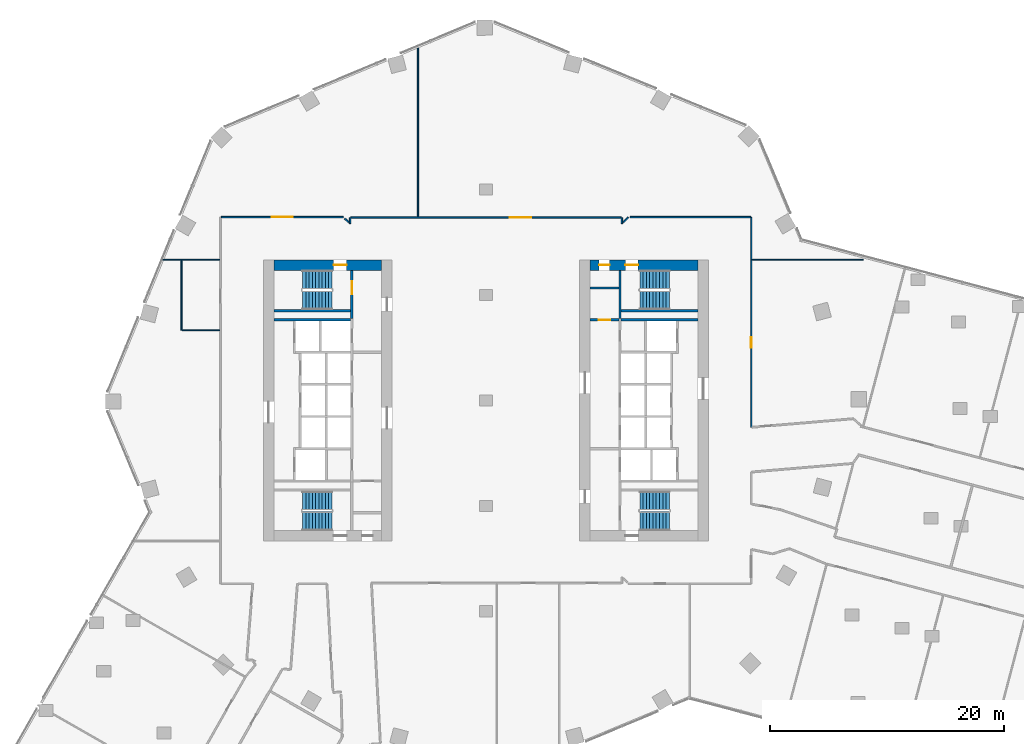
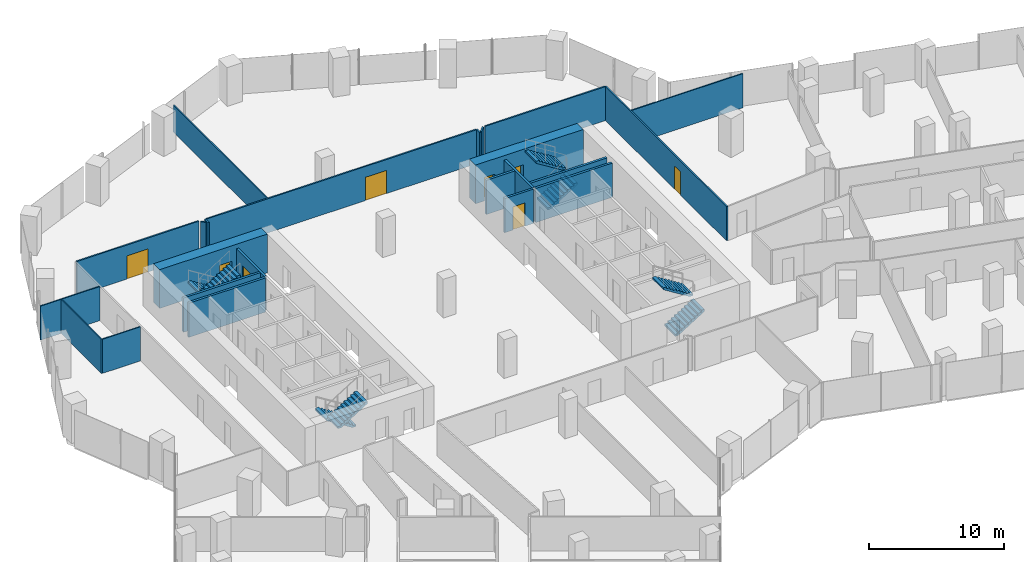
# One storey, part 31 of 35: 23 walls, 8 doors, 8 stair flights, 8 openings, 4 elements without a shape of their own.
"""IFC4 building model written with IfcOpenShell, lengths in metres."""

from ifc_helpers import new_model, si_unit, direction, frame, frame_2d, origin, place, context, subcontext, project, spatial, polyline, rectangle, outline, extrude, material, layer, layer_set, type_object, element, fill, aggregate, save


model = new_model("IFC4")

# Units and contexts
model_context = context("Model", 3, precision=1e-05, world=origin(), true_north=direction((0.0, 1.0)))
body_context = subcontext(model_context, "Body", "Model", "MODEL_VIEW")
ifc_project = project(units=[si_unit("LENGTHUNIT", "METRE"), si_unit("AREAUNIT", "SQUARE_METRE"), si_unit("VOLUMEUNIT", "CUBIC_METRE"), si_unit("PLANEANGLEUNIT", "RADIAN"), si_unit("MASSUNIT", "GRAM", prefix="KILO")], contexts=[model_context])

# Site, building, storey
site_placement = place(None, origin())
site = spatial("IfcSite", under=ifc_project, at=site_placement, CompositionType="ELEMENT")
building_placement = place(site_placement, origin())
building = spatial("IfcBuilding", under=site, at=building_placement, Name="Orlundy Tower", CompositionType="ELEMENT")
storey_placement = place(building_placement, frame((0.0, 0.0, 116.199951171875)))
storey = spatial("IfcBuildingStorey", under=building, at=storey_placement, Name="L29", CompositionType="ELEMENT", Elevation=116.199951171875)

# Wall, opening, door
ifc_material_1 = material(Name="Concrete C80/95", Category="concrete")
ifc_layer_1 = layer(ifc_material_1, 0.89990234375)
ifc_layer_set_1 = layer_set([ifc_layer_1], Name="CORE WALL 900 C80/95")
wall_type_1 = type_object("IfcWallType", Name="CORE WALL 900 C80/95", PredefinedType="SHEAR", material=ifc_layer_set_1)
wall_1_placement = place(storey_placement, frame((-18.10009765625, 11.550048828125, 0.0), z_axis=(0.0, 0.0, 1.0), x_axis=(1.0, 0.0, 0.0)))
wall_1 = element("IfcWall", 1, at=wall_1_placement, inside=storey, type_object=wall_type_1, Name="Core wall W-N L29", PredefinedType="SHEAR", context=body_context, shape_type="SweptSolid", body=[
    extrude(rectangle(XDim=9.2001953125, YDim=0.89990234375, at=frame_2d((4.60009765625, 0.0))), origin(), (0.0, 0.0, 1.0), 3.5),
])
opening_1_placement = place(wall_1_placement, frame((5.10009765625, 0.0, 0.0)))
opening_1 = element("IfcOpeningElement", 2, at=opening_1_placement, cuts=wall_1, Name="Opening 22012", PredefinedType="OPENING", context=body_context, shape_type="SweptSolid", body=[
    extrude(rectangle(XDim=1.10009765625, YDim=2.10009765625, at=frame_2d((0.550048828125, 1.050048828125))), frame((0.0, 0.4599609375, 0.0), z_axis=(0.0, -1.0, 0.0), x_axis=(1.0, 0.0, 0.0)), (0.0, 0.0, 1.0), 0.919921875),
])
ifc_material_2 = material(Name="Steel door set", Category="steel")
door_type_1 = type_object("IfcDoorType", Name="Stair Door 1100x2100", OperationType="SINGLE_SWING_LEFT", PredefinedType="DOOR", material=ifc_material_2)
door_1_placement = place(opening_1_placement, origin())
door_1 = element("IfcDoor", 3, at=door_1_placement, inside=storey, type_object=door_type_1, Name="Stair door 22012", OperationType="SINGLE_SWING_RIGHT", OverallHeight=2.10009765625, OverallWidth=1.10009765625, PredefinedType="DOOR", context=body_context, shape_type="SweptSolid", body=[
    extrude(rectangle(XDim=1.10009765625, YDim=2.10009765625, at=frame_2d((0.550048828125, 1.050048828125))), frame((0.0, 0.02490234375, 0.0), z_axis=(0.0, -1.0, 0.0), x_axis=(1.0, 0.0, 0.0)), (0.0, 0.0, 1.0), 0.050048828125),
])
fill(opening_1, door_1)

# Wall, openings, doors
wall_2_placement = place(storey_placement, frame((8.89990234375, 11.550048828125, 0.0), z_axis=(0.0, 0.0, 1.0), x_axis=(1.0, 0.0, 0.0)))
wall_2 = element("IfcWall", 4, at=wall_2_placement, inside=storey, type_object=wall_type_1, Name="Core wall E-N L29", PredefinedType="SHEAR", context=body_context, shape_type="SweptSolid", body=[
    extrude(rectangle(XDim=9.2001953125, YDim=0.89990234375, at=frame_2d((4.60009765625, 0.0))), origin(), (0.0, 0.0, 1.0), 3.5),
])
opening_2_placement = place(wall_2_placement, frame((3.0, 0.0, 0.0)))
opening_2 = element("IfcOpeningElement", 5, at=opening_2_placement, cuts=wall_2, Name="Opening 22062", PredefinedType="OPENING", context=body_context, shape_type="SweptSolid", body=[
    extrude(rectangle(XDim=1.10009765625, YDim=2.10009765625, at=frame_2d((0.550048828125, 1.050048828125))), frame((0.0, 0.4599609375, 0.0), z_axis=(0.0, -1.0, 0.0), x_axis=(1.0, 0.0, 0.0)), (0.0, 0.0, 1.0), 0.919921875),
])
opening_3_placement = place(wall_2_placement, frame((0.77001953125, 0.0, 0.0)))
opening_3 = element("IfcOpeningElement", 6, at=opening_3_placement, cuts=wall_2, Name="Opening 22064", PredefinedType="OPENING", context=body_context, shape_type="SweptSolid", body=[
    extrude(rectangle(XDim=0.89990234375, YDim=2.10009765625, at=frame_2d((0.449951171875, 1.050048828125))), frame((0.0, 0.4599609375, 0.0), z_axis=(0.0, -1.0, 0.0), x_axis=(1.0, 0.0, 0.0)), (0.0, 0.0, 1.0), 0.919921875),
])
ifc_material_3 = material(Name="Timber door set", Category="wood")
door_type_2 = type_object("IfcDoorType", Name="Room Door 900x2100", OperationType="SINGLE_SWING_LEFT", PredefinedType="DOOR", material=ifc_material_3)
door_2_placement = place(opening_3_placement, origin())
door_2 = element("IfcDoor", 7, at=door_2_placement, inside=storey, type_object=door_type_2, Name="Store door 22064", OperationType="SINGLE_SWING_LEFT", OverallHeight=2.10009765625, OverallWidth=0.89990234375, PredefinedType="DOOR", context=body_context, shape_type="SweptSolid", body=[
    extrude(rectangle(XDim=0.89990234375, YDim=2.10009765625, at=frame_2d((0.449951171875, 1.050048828125))), frame((0.0, 0.02490234375, 0.0), z_axis=(0.0, -1.0, 0.0), x_axis=(1.0, 0.0, 0.0)), (0.0, 0.0, 1.0), 0.050048828125),
])
fill(opening_3, door_2)
door_3_placement = place(opening_2_placement, origin())
door_3 = element("IfcDoor", 8, at=door_3_placement, inside=storey, type_object=door_type_1, Name="Stair door 22062", OperationType="SINGLE_SWING_LEFT", OverallHeight=2.10009765625, OverallWidth=1.10009765625, PredefinedType="DOOR", context=body_context, shape_type="SweptSolid", body=[
    extrude(rectangle(XDim=1.10009765625, YDim=2.10009765625, at=frame_2d((0.550048828125, 1.050048828125))), frame((0.0, 0.02490234375, 0.0), z_axis=(0.0, -1.0, 0.0), x_axis=(1.0, 0.0, 0.0)), (0.0, 0.0, 1.0), 0.050048828125),
])
fill(opening_2, door_3)

# Walls
ifc_material_4 = material(Name="Gypsum board partition")
ifc_layer_2 = layer(ifc_material_4, 0.10009765625)
ifc_layer_set_2 = layer_set([ifc_layer_2], Name="Floor partition 100")
wall_type_2 = type_object("IfcWallType", Name="Floor partition 100", PredefinedType="PARTITIONING", material=ifc_layer_set_2)
wall_3_placement = place(storey_placement, frame((-25.931884765625, 6.0009765625, 0.0), z_axis=(0.0, 0.0, 1.0), x_axis=(1.0, 0.0, 0.0)))
element("IfcWall", 9, at=wall_3_placement, inside=storey, type_object=wall_type_2, Name="wall-int-L29-041", PredefinedType="PARTITIONING", context=body_context, shape_type="SweptSolid", body=[
    extrude(rectangle(XDim=3.219970703125, YDim=0.10009765625, at=frame_2d((1.60986328125, 0.0))), origin(), (0.0, 0.0, 1.0), 3.080078125),
])
wall_4_placement = place(storey_placement, frame((-27.77392578125, 12.0, 0.0), z_axis=(0.0, 0.0, 1.0), x_axis=(1.0, 0.0, 0.0)))
element("IfcWall", 10, at=wall_4_placement, inside=storey, type_object=wall_type_2, Name="wall-int-L29-042", PredefinedType="PARTITIONING", context=body_context, shape_type="SweptSolid", body=[
    extrude(rectangle(XDim=5.06201171875, YDim=0.10009765625, at=frame_2d((2.531005859375, 0.0))), origin(), (0.0, 0.0, 1.0), 3.080078125),
])
wall_5_placement = place(storey_placement, frame((22.712890625, 12.0, 0.0), z_axis=(0.0, 0.0, 1.0), x_axis=(1.0, 0.0, 0.0)))
element("IfcWall", 11, at=wall_5_placement, inside=storey, type_object=wall_type_2, Name="wall-int-L29-043", PredefinedType="PARTITIONING", context=body_context, shape_type="SweptSolid", body=[
    extrude(rectangle(XDim=9.51318359375, YDim=0.10009765625, at=frame_2d((4.756591796875, 0.0))), origin(), (0.0, 0.0, 1.0), 3.080078125),
])
wall_6_placement = place(storey_placement, frame((-25.98193359375, 6.0009765625, 0.0), z_axis=(0.0, 0.0, 1.0), x_axis=(0.0, 1.0, 0.0)))
element("IfcWall", 12, at=wall_6_placement, inside=storey, type_object=wall_type_2, Name="wall-int-L29-087", PredefinedType="PARTITIONING", context=body_context, shape_type="SweptSolid", body=[
    extrude(rectangle(XDim=5.948974609375, YDim=0.10009765625, at=frame_2d((2.974609375, 0.0))), origin(), (0.0, 0.0, 1.0), 3.080078125),
])
ifc_material_5 = material(Name="Gypsum board partition")
ifc_layer_3 = layer(ifc_material_5, 0.10009765625)
ifc_layer_set_3 = layer_set([ifc_layer_3], Name="Floor partition 100 B")
wall_type_3 = type_object("IfcWallType", Name="Floor partition 100 B", PredefinedType="PARTITIONING", material=ifc_layer_set_3)
wall_7_placement = place(storey_placement, frame((-5.799072265625, 15.6640625, 0.0), z_axis=(0.0, 0.0, 1.0), x_axis=(0.0, 1.0, 0.0)))
element("IfcWall", 13, at=wall_7_placement, inside=storey, type_object=wall_type_3, Name="wall-int-L29-085", PredefinedType="PARTITIONING", context=body_context, shape_type="SweptSolid", body=[
    extrude(rectangle(XDim=14.697021484375, YDim=0.10009765625, at=frame_2d((7.3486328125, 0.0))), origin(), (0.0, 0.0, 1.0), 2.445068359375),
])
ifc_material_6 = material(Name="Gypsum board partition, double layer")
ifc_layer_4 = layer(ifc_material_6, 0.125)
ifc_layer_set_4 = layer_set([ifc_layer_4], Name="Floor partition 125")
wall_type_4 = type_object("IfcWallType", Name="Floor partition 125", PredefinedType="PARTITIONING", material=ifc_layer_set_4)
wall_8_placement = place(storey_placement, frame((-12.0458984375, 15.52392578125, 0.0), z_axis=(0.0, 0.0, 1.0), x_axis=(0.707106781187, -0.707106781187, 0.0)))
element("IfcWall", 14, at=wall_8_placement, inside=storey, type_object=wall_type_4, Name="wall-int-L29-008", PredefinedType="PARTITIONING", context=body_context, shape_type="SweptSolid", body=[
    extrude(rectangle(XDim=0.449462890625, YDim=0.125, at=frame_2d((0.224609375, 0.0))), origin(), (0.0, 0.0, 1.0), 3.080078125),
])

# Wall, opening, door
wall_9_placement = place(storey_placement, frame((-11.537109375, 15.60107421875, 0.0), z_axis=(0.0, 0.0, 1.0), x_axis=(1.0, 0.0, 0.0)))
wall_9 = element("IfcWall", 15, at=wall_9_placement, inside=storey, type_object=wall_type_4, Name="wall-int-L29-044", PredefinedType="PARTITIONING", context=body_context, shape_type="SweptSolid", body=[
    extrude(rectangle(XDim=23.07421875, YDim=0.125, at=frame_2d((11.537109375, 0.0))), origin(), (0.0, 0.0, 1.0), 3.080078125),
])
opening_4_placement = place(wall_9_placement, frame((13.58837890625, 0.0, 0.0)))
opening_4 = element("IfcOpeningElement", 16, at=opening_4_placement, cuts=wall_9, Name="Opening 22131", PredefinedType="OPENING", context=body_context, shape_type="SweptSolid", body=[
    extrude(rectangle(XDim=1.800048828125, YDim=2.10009765625, at=frame_2d((0.89990234375, 1.050048828125))), frame((0.0, 0.072509765625, 0.0), z_axis=(0.0, -1.0, 0.0), x_axis=(1.0, 0.0, 0.0)), (0.0, 0.0, 1.0), 0.14501953125),
])
ifc_material_7 = material(Name="Timber door leaf", Category="wood")
door_type_3 = type_object("IfcDoorType", Name="Floor door double 1800 FD30S", OperationType="NOTDEFINED", PredefinedType="DOOR", material=ifc_material_7)
door_4_placement = place(opening_4_placement, origin())
door_4 = element("IfcDoor", 17, at=door_4_placement, inside=storey, type_object=door_type_3, Name="Door 22131", OperationType="DOUBLE_DOOR_SINGLE_SWING", OverallHeight=2.10009765625, OverallWidth=1.800048828125, PredefinedType="DOOR", context=body_context, shape_type="SweptSolid", body=[
    extrude(rectangle(XDim=1.800048828125, YDim=2.10009765625, at=frame_2d((0.89990234375, 1.050048828125))), frame((0.0, 0.02490234375, 0.0), z_axis=(0.0, -1.0, 0.0), x_axis=(1.0, 0.0, 0.0)), (0.0, 0.0, 1.0), 0.050048828125),
])
fill(opening_4, door_4)

wall_10_placement = place(storey_placement, frame((-22.5869140625, 15.65087890625, 0.0), z_axis=(0.0, 0.0, 1.0), x_axis=(1.0, 0.0, 0.0)))
wall_10 = element("IfcWall", 18, at=wall_10_placement, inside=storey, type_object=wall_type_4, Name="wall-int-L29-045", PredefinedType="PARTITIONING", context=body_context, shape_type="SweptSolid", body=[
    extrude(rectangle(XDim=10.427001953125, YDim=0.125, at=frame_2d((5.21337890625, 0.0))), origin(), (0.0, 0.0, 1.0), 3.080078125),
])
opening_5_placement = place(wall_10_placement, frame((4.28759765625, 0.0, 0.0)))
opening_5 = element("IfcOpeningElement", 19, at=opening_5_placement, cuts=wall_10, Name="Opening 22132", PredefinedType="OPENING", context=body_context, shape_type="SweptSolid", body=[
    extrude(rectangle(XDim=1.800048828125, YDim=2.10009765625, at=frame_2d((0.89990234375, 1.050048828125))), frame((0.0, 0.072509765625, 0.0), z_axis=(0.0, -1.0, 0.0), x_axis=(1.0, 0.0, 0.0)), (0.0, 0.0, 1.0), 0.14501953125),
])
door_5_placement = place(opening_5_placement, origin())
door_5 = element("IfcDoor", 20, at=door_5_placement, inside=storey, type_object=door_type_3, Name="Door 22132", OperationType="DOUBLE_DOOR_SINGLE_SWING", OverallHeight=2.10009765625, OverallWidth=1.800048828125, PredefinedType="DOOR", context=body_context, shape_type="SweptSolid", body=[
    extrude(rectangle(XDim=1.800048828125, YDim=2.10009765625, at=frame_2d((0.89990234375, 1.050048828125))), frame((0.0, 0.02490234375, 0.0), z_axis=(0.0, -1.0, 0.0), x_axis=(1.0, 0.0, 0.0)), (0.0, 0.0, 1.0), 0.050048828125),
])
fill(opening_5, door_5)

# Walls
wall_11_placement = place(storey_placement, frame((12.31103515625, 15.65087890625, 0.0), z_axis=(0.0, 0.0, 1.0), x_axis=(1.0, 0.0, 0.0)))
element("IfcWall", 21, at=wall_11_placement, inside=storey, type_object=wall_type_4, Name="wall-int-L29-046", PredefinedType="PARTITIONING", context=body_context, shape_type="SweptSolid", body=[
    extrude(rectangle(XDim=10.27587890625, YDim=0.125, at=frame_2d((5.137939453125, 0.0))), origin(), (0.0, 0.0, 1.0), 3.080078125),
])
wall_12_placement = place(storey_placement, frame((11.73095703125, 15.20703125, 0.0), z_axis=(0.0, 0.0, 1.0), x_axis=(0.707311295066, 0.70690220814, 0.0)))
element("IfcWall", 22, at=wall_12_placement, inside=storey, type_object=wall_type_4, Name="wall-int-L29-052", PredefinedType="PARTITIONING", context=body_context, shape_type="SweptSolid", body=[
    extrude(rectangle(XDim=0.5966796875, YDim=0.125, at=frame_2d((0.29833984375, 0.0))), origin(), (0.0, 0.0, 1.0), 3.080078125),
])
wall_13_placement = place(storey_placement, frame((-11.60107421875, 15.092041015625, 0.0), z_axis=(0.0, 0.0, 1.0), x_axis=(0.00192214926, 0.999998152669, 0.0)))
element("IfcWall", 23, at=wall_13_placement, inside=storey, type_object=wall_type_4, Name="wall-int-L29-076", PredefinedType="PARTITIONING", context=body_context, shape_type="SweptSolid", body=[
    extrude(rectangle(XDim=0.508056640625, YDim=0.125, at=frame_2d((0.25390625, 0.0))), origin(), (0.0, 0.0, 1.0), 3.080078125),
])

# Wall, opening, door
wall_14_placement = place(storey_placement, frame((22.65087890625, 15.64990234375, 0.0), z_axis=(0.0, 0.0, 1.0), x_axis=(0.0, -1.0, 0.0)))
wall_14 = element("IfcWall", 24, at=wall_14_placement, inside=storey, type_object=wall_type_4, Name="wall-int-L29-079", PredefinedType="PARTITIONING", context=body_context, shape_type="SweptSolid", body=[
    extrude(rectangle(XDim=17.950927734375, YDim=0.125, at=frame_2d((8.9755859375, 0.0))), origin(), (0.0, 0.0, 1.0), 3.080078125),
])
opening_6_placement = place(wall_14_placement, frame((10.25, 0.0, 0.0)))
opening_6 = element("IfcOpeningElement", 25, at=opening_6_placement, cuts=wall_14, Name="Opening 22129", PredefinedType="OPENING", context=body_context, shape_type="SweptSolid", body=[
    extrude(rectangle(XDim=0.89990234375, YDim=2.10009765625, at=frame_2d((0.449951171875, 1.050048828125))), frame((0.0, 0.072509765625, 0.0), z_axis=(0.0, -1.0, 0.0), x_axis=(1.0, 0.0, 0.0)), (0.0, 0.0, 1.0), 0.14501953125),
])
ifc_material_8 = material(Name="Timber door leaf", Category="wood")
door_type_4 = type_object("IfcDoorType", Name="Floor door single 900 FD30S", OperationType="NOTDEFINED", PredefinedType="DOOR", material=ifc_material_8)
door_6_placement = place(opening_6_placement, origin())
door_6 = element("IfcDoor", 26, at=door_6_placement, inside=storey, type_object=door_type_4, Name="Door 22129", OperationType="SINGLE_SWING_RIGHT", OverallHeight=2.10009765625, OverallWidth=0.89990234375, PredefinedType="DOOR", context=body_context, shape_type="SweptSolid", body=[
    extrude(rectangle(XDim=0.89990234375, YDim=2.10009765625, at=frame_2d((0.449951171875, 1.050048828125))), frame((0.0, 0.02490234375, 0.0), z_axis=(0.0, -1.0, 0.0), x_axis=(1.0, 0.0, 0.0)), (0.0, 0.0, 1.0), 0.050048828125),
])
fill(opening_6, door_6)

# Wall
wall_15_placement = place(storey_placement, frame((11.60107421875, 15.092041015625, 0.0), z_axis=(0.0, 0.0, 1.0), x_axis=(0.0, 1.0, 0.0)))
element("IfcWall", 27, at=wall_15_placement, inside=storey, type_object=wall_type_4, Name="wall-int-L29-082", PredefinedType="PARTITIONING", context=body_context, shape_type="SweptSolid", body=[
    extrude(rectangle(XDim=0.508056640625, YDim=0.125, at=frame_2d((0.25390625, 0.0))), origin(), (0.0, 0.0, 1.0), 3.080078125),
])

# Wall, opening, door
ifc_material_9 = material(Name="Concrete C40/50", Category="concrete")
ifc_layer_5 = layer(ifc_material_9, 0.199951171875)
ifc_layer_set_5 = layer_set([ifc_layer_5], Name="Load-bearing Shaft Wall 200")
wall_type_5 = type_object("IfcWallType", Name="Load-bearing Shaft Wall 200", PredefinedType="SOLIDWALL", material=ifc_layer_set_5)
wall_16_placement = place(storey_placement, frame((-11.43994140625, 6.97509765625, 0.0), z_axis=(0.0, 0.0, 1.0), x_axis=(0.0, 1.0, 0.0)))
wall_16 = element("IfcWall", 28, at=wall_16_placement, inside=storey, type_object=wall_type_5, Name="Shaft wall W22-stair-end-n", PredefinedType="SOLIDWALL", context=body_context, shape_type="SweptSolid", body=[
    extrude(rectangle(XDim=4.125, YDim=0.199951171875, at=frame_2d((2.0625, 0.0))), origin(), (0.0, 0.0, 1.0), 3.090087890625),
])
opening_7_placement = place(wall_16_placement, frame((2.10009765625, 0.0, 0.0)))
opening_7 = element("IfcOpeningElement", 29, at=opening_7_placement, cuts=wall_16, Name="Opening 22014", PredefinedType="OPENING", context=body_context, shape_type="SweptSolid", body=[
    extrude(rectangle(XDim=1.10009765625, YDim=2.10009765625, at=frame_2d((0.550048828125, 1.050048828125))), frame((0.0, 0.110107421875, 0.0), z_axis=(0.0, -1.0, 0.0), x_axis=(1.0, 0.0, 0.0)), (0.0, 0.0, 1.0), 0.22021484375),
])
ifc_material_10 = material(Name="Steel door set", Category="steel")
door_type_5 = type_object("IfcDoorType", Name="Fire-fighting Lobby Door 1100x2100", OperationType="SINGLE_SWING_LEFT", PredefinedType="DOOR", material=ifc_material_10)
door_7_placement = place(opening_7_placement, origin())
door_7 = element("IfcDoor", 30, at=door_7_placement, inside=storey, type_object=door_type_5, Name="Fire-fighting lobby to stair door 22014", OperationType="SINGLE_SWING_RIGHT", OverallHeight=2.10009765625, OverallWidth=1.10009765625, PredefinedType="DOOR", context=body_context, shape_type="SweptSolid", body=[
    extrude(rectangle(XDim=1.10009765625, YDim=2.10009765625, at=frame_2d((0.550048828125, 1.050048828125))), frame((0.0, 0.02490234375, 0.0), z_axis=(0.0, -1.0, 0.0), x_axis=(1.0, 0.0, 0.0)), (0.0, 0.0, 1.0), 0.050048828125),
])
fill(opening_7, door_7)

# Walls
wall_17_placement = place(storey_placement, frame((-11.5400390625, 7.64990234375, 0.0), z_axis=(0.0, 0.0, 1.0), x_axis=(-1.0, 0.0, 0.0)))
element("IfcWall", 31, at=wall_17_placement, inside=storey, type_object=wall_type_5, Name="Shaft wall W22-stair-side-n", PredefinedType="SOLIDWALL", context=body_context, shape_type="SweptSolid", body=[
    extrude(rectangle(XDim=6.56005859375, YDim=0.199951171875, at=frame_2d((3.280029296875, 0.0))), origin(), (0.0, 0.0, 1.0), 3.090087890625),
])
wall_18_placement = place(storey_placement, frame((11.43994140625, 11.10009765625, 0.0), z_axis=(0.0, 0.0, 1.0), x_axis=(0.0, -1.0, 0.0)))
element("IfcWall", 32, at=wall_18_placement, inside=storey, type_object=wall_type_5, Name="Shaft wall E22-stair-end-s", PredefinedType="SOLIDWALL", context=body_context, shape_type="SweptSolid", body=[
    extrude(rectangle(XDim=4.125, YDim=0.199951171875, at=frame_2d((2.0625, 0.0))), origin(), (0.0, 0.0, 1.0), 3.090087890625),
])
wall_19_placement = place(storey_placement, frame((11.5400390625, 7.64990234375, 0.0), z_axis=(0.0, 0.0, 1.0), x_axis=(1.0, 0.0, 0.0)))
element("IfcWall", 33, at=wall_19_placement, inside=storey, type_object=wall_type_5, Name="Shaft wall E22-stair-side-s", PredefinedType="SOLIDWALL", context=body_context, shape_type="SweptSolid", body=[
    extrude(rectangle(XDim=6.56005859375, YDim=0.199951171875, at=frame_2d((3.280029296875, 0.0))), origin(), (0.0, 0.0, 1.0), 3.090087890625),
])

# Wall, opening, door
ifc_material_11 = material(Name="Gypsum board partition on steel studs", Category="steel")
ifc_layer_6 = layer(ifc_material_11, 0.199951171875)
ifc_layer_set_6 = layer_set([ifc_layer_6], Name="Partition 200")
wall_type_6 = type_object("IfcWallType", Name="Partition 200", PredefinedType="PARTITIONING", material=ifc_layer_set_6)
wall_20_placement = place(storey_placement, frame((8.89990234375, 6.875, 0.0), z_axis=(0.0, 0.0, 1.0), x_axis=(1.0, 0.0, 0.0)))
wall_20 = element("IfcWall", 34, at=wall_20_placement, inside=storey, type_object=wall_type_6, Name="Partition wall E22-end-s", PredefinedType="PARTITIONING", context=body_context, shape_type="SweptSolid", body=[
    extrude(rectangle(XDim=2.440185546875, YDim=0.199951171875, at=frame_2d((1.22021484375, 0.0))), origin(), (0.0, 0.0, 1.0), 3.090087890625),
])
opening_8_placement = place(wall_20_placement, frame((0.719970703125, 0.0, 0.0)))
opening_8 = element("IfcOpeningElement", 35, at=opening_8_placement, cuts=wall_20, Name="Opening 22065", PredefinedType="OPENING", context=body_context, shape_type="SweptSolid", body=[
    extrude(rectangle(XDim=1.0, YDim=2.10009765625, at=frame_2d((0.5, 1.050048828125))), frame((0.0, 0.110107421875, 0.0), z_axis=(0.0, -1.0, 0.0), x_axis=(1.0, 0.0, 0.0)), (0.0, 0.0, 1.0), 0.22021484375),
])
ifc_material_12 = material(Name="Timber door set", Category="wood")
door_type_6 = type_object("IfcDoorType", Name="Accessible Door 1000x2100", OperationType="SINGLE_SWING_LEFT", PredefinedType="DOOR", material=ifc_material_12)
door_8_placement = place(opening_8_placement, origin())
door_8 = element("IfcDoor", 36, at=door_8_placement, inside=storey, type_object=door_type_6, Name="Accessible WC door 22065", OperationType="SINGLE_SWING_RIGHT", OverallHeight=2.10009765625, OverallWidth=1.0, PredefinedType="DOOR", context=body_context, shape_type="SweptSolid", body=[
    extrude(rectangle(XDim=1.0, YDim=2.10009765625, at=frame_2d((0.5, 1.050048828125))), frame((0.0, 0.02490234375, 0.0), z_axis=(0.0, -1.0, 0.0), x_axis=(1.0, 0.0, 0.0)), (0.0, 0.0, 1.0), 0.050048828125),
])
fill(opening_8, door_8)

# Walls
wall_21_placement = place(storey_placement, frame((8.89990234375, 9.60009765625, 0.0), z_axis=(0.0, 0.0, 1.0), x_axis=(1.0, 0.0, 0.0)))
element("IfcWall", 37, at=wall_21_placement, inside=storey, type_object=wall_type_6, Name="Partition wall E22-room-s0", PredefinedType="PARTITIONING", context=body_context, shape_type="SweptSolid", body=[
    extrude(rectangle(XDim=2.440185546875, YDim=0.199951171875, at=frame_2d((1.22021484375, 0.0))), origin(), (0.0, 0.0, 1.0), 3.090087890625),
])
ifc_material_13 = material(Name="Fire-rated blockwork shaft wall", Category="masonry")
ifc_layer_7 = layer(ifc_material_13, 0.199951171875)
ifc_layer_set_7 = layer_set([ifc_layer_7], Name="Shaft Wall 200")
wall_type_7 = type_object("IfcWallType", Name="Shaft Wall 200", PredefinedType="SOLIDWALL", material=ifc_layer_set_7)
for number, where, z_axis, x_axis, name in (
    (38, (-11.5400390625, 6.875, 0.0), (0.0, 0.0, 1.0), (-1.0, 0.0, 0.0), "Shaft wall W22-zone-n"),
    (39, (11.5400390625, 6.875, 0.0), (0.0, 0.0, 1.0), (1.0, 0.0, 0.0), "Shaft wall E22-zone-s"),
):
    element("IfcWall", number, at=place(storey_placement, frame(where, z_axis=z_axis, x_axis=x_axis)), inside=storey, type_object=wall_type_7, Name=name, PredefinedType="SOLIDWALL", context=body_context, shape_type="SweptSolid", body=[
        extrude(rectangle(XDim=6.56005859375, YDim=0.199951171875, at=frame_2d((3.280029296875, 0.0))), origin(), (0.0, 0.0, 1.0), 3.090087890625),
    ])

# Stair, stair flights
ifc_material_14 = material(Name="Concrete C50/60", Category="concrete")
stair_type = type_object("IfcStairType", Name="Exit Stair 20 risers", PredefinedType="HALF_TURN_STAIR", material=ifc_material_14)
stair_1_placement = place(storey_placement, origin())
stair_1 = element("IfcStair", 40, at=stair_1_placement, inside=storey, type_object=stair_type, Name="L29 Exit Stair ST-W1", PredefinedType="HALF_TURN_STAIR")
ifc_material_15 = material(Name="Concrete C50/60", Category="concrete")
stair_flight_type = type_object("IfcStairFlightType", Name="Stair Flight 10 risers", PredefinedType="STRAIGHT", material=ifc_material_15)
stair_flight_1_placement = place(storey_placement, frame((-13.139892578125, 10.300048828125, 0.0), z_axis=(0.0, 0.0, 1.0), x_axis=(-1.0, 0.0, 0.0)))
stair_flight_1 = element("IfcStairFlight", 41, at=stair_flight_1_placement, type_object=stair_flight_type, Name="ST-W1 flight 1", NumberOfRisers=10, NumberOfTreads=9, PredefinedType="STRAIGHT", RiserHeight=0.175, TreadLength=0.28, context=body_context, shape_type="SweptSolid", body=[
    extrude(outline(polyline([(0.0, 0.0), (0.0, 0.175048828125), (0.280029296875, 0.175048828125), (0.280029296875, 0.35009765625), (0.56005859375, 0.35009765625), (0.56005859375, 0.52490234375), (0.840087890625, 0.52490234375), (0.840087890625, 0.699951171875), (1.1201171875, 0.699951171875), (1.1201171875, 0.875), (1.39990234375, 0.875), (1.39990234375, 1.050048828125), (1.679931640625, 1.050048828125), (1.679931640625, 1.22509765625), (1.9599609375, 1.22509765625), (1.9599609375, 1.39990234375), (2.239990234375, 1.39990234375), (2.239990234375, 1.574951171875), (2.52001953125, 1.574951171875), (2.52001953125, 1.75), (2.52001953125, 1.398193359375), (0.28271484375, 0.0), (0.0, 0.0)])), frame((0.0, 0.800048828125, 0.0), z_axis=(0.0, -1.0, 0.0), x_axis=(1.0, 0.0, 0.0)), (0.0, 0.0, 1.0), 1.60009765625),
])
stair_flight_2_placement = place(storey_placement, frame((-15.659912109375, 8.550048828125, 1.75), z_axis=(0.0, 0.0, 1.0), x_axis=(1.0, 0.0, 0.0)))
stair_flight_2 = element("IfcStairFlight", 42, at=stair_flight_2_placement, type_object=stair_flight_type, Name="ST-W1 flight 2", NumberOfRisers=10, NumberOfTreads=9, PredefinedType="STRAIGHT", RiserHeight=0.175, TreadLength=0.28, context=body_context, shape_type="SweptSolid", body=[
    extrude(outline(polyline([(0.0, 0.0), (0.0, 0.175048828125), (0.280029296875, 0.175048828125), (0.280029296875, 0.35009765625), (0.56005859375, 0.35009765625), (0.56005859375, 0.52490234375), (0.840087890625, 0.52490234375), (0.840087890625, 0.699951171875), (1.1201171875, 0.699951171875), (1.1201171875, 0.875), (1.39990234375, 0.875), (1.39990234375, 1.050048828125), (1.679931640625, 1.050048828125), (1.679931640625, 1.22509765625), (1.9599609375, 1.22509765625), (1.9599609375, 1.39990234375), (2.239990234375, 1.39990234375), (2.239990234375, 1.574951171875), (2.52001953125, 1.574951171875), (2.52001953125, 1.75), (2.52001953125, 1.398193359375), (0.28271484375, 0.0), (0.0, 0.0)])), frame((0.0, 0.800048828125, 0.0), z_axis=(0.0, -1.0, 0.0), x_axis=(1.0, 0.0, 0.0)), (0.0, 0.0, 1.0), 1.60009765625),
])
aggregate(stair_1, [stair_flight_1, stair_flight_2])

stair_2_placement = place(storey_placement, origin())
stair_2 = element("IfcStair", 43, at=stair_2_placement, inside=storey, type_object=stair_type, Name="L29 Exit Stair ST-W2", PredefinedType="HALF_TURN_STAIR")
stair_flight_3_placement = place(storey_placement, frame((-13.139892578125, -8.550048828125, 0.0), z_axis=(0.0, 0.0, 1.0), x_axis=(-1.0, 0.0, 0.0)))
stair_flight_3 = element("IfcStairFlight", 44, at=stair_flight_3_placement, type_object=stair_flight_type, Name="ST-W2 flight 1", NumberOfRisers=10, NumberOfTreads=9, PredefinedType="STRAIGHT", RiserHeight=0.175, TreadLength=0.28, context=body_context, shape_type="SweptSolid", body=[
    extrude(outline(polyline([(0.0, 0.0), (0.0, 0.175048828125), (0.280029296875, 0.175048828125), (0.280029296875, 0.35009765625), (0.56005859375, 0.35009765625), (0.56005859375, 0.52490234375), (0.840087890625, 0.52490234375), (0.840087890625, 0.699951171875), (1.1201171875, 0.699951171875), (1.1201171875, 0.875), (1.39990234375, 0.875), (1.39990234375, 1.050048828125), (1.679931640625, 1.050048828125), (1.679931640625, 1.22509765625), (1.9599609375, 1.22509765625), (1.9599609375, 1.39990234375), (2.239990234375, 1.39990234375), (2.239990234375, 1.574951171875), (2.52001953125, 1.574951171875), (2.52001953125, 1.75), (2.52001953125, 1.398193359375), (0.28271484375, 0.0), (0.0, 0.0)])), frame((0.0, 0.800048828125, 0.0), z_axis=(0.0, -1.0, 0.0), x_axis=(1.0, 0.0, 0.0)), (0.0, 0.0, 1.0), 1.60009765625),
])
stair_flight_4_placement = place(storey_placement, frame((-15.659912109375, -10.300048828125, 1.75), z_axis=(0.0, 0.0, 1.0), x_axis=(1.0, 0.0, 0.0)))
stair_flight_4 = element("IfcStairFlight", 45, at=stair_flight_4_placement, type_object=stair_flight_type, Name="ST-W2 flight 2", NumberOfRisers=10, NumberOfTreads=9, PredefinedType="STRAIGHT", RiserHeight=0.175, TreadLength=0.28, context=body_context, shape_type="SweptSolid", body=[
    extrude(outline(polyline([(0.0, 0.0), (0.0, 0.175048828125), (0.280029296875, 0.175048828125), (0.280029296875, 0.35009765625), (0.56005859375, 0.35009765625), (0.56005859375, 0.52490234375), (0.840087890625, 0.52490234375), (0.840087890625, 0.699951171875), (1.1201171875, 0.699951171875), (1.1201171875, 0.875), (1.39990234375, 0.875), (1.39990234375, 1.050048828125), (1.679931640625, 1.050048828125), (1.679931640625, 1.22509765625), (1.9599609375, 1.22509765625), (1.9599609375, 1.39990234375), (2.239990234375, 1.39990234375), (2.239990234375, 1.574951171875), (2.52001953125, 1.574951171875), (2.52001953125, 1.75), (2.52001953125, 1.398193359375), (0.28271484375, 0.0), (0.0, 0.0)])), frame((0.0, 0.800048828125, 0.0), z_axis=(0.0, -1.0, 0.0), x_axis=(1.0, 0.0, 0.0)), (0.0, 0.0, 1.0), 1.60009765625),
])
aggregate(stair_2, [stair_flight_3, stair_flight_4])

stair_3_placement = place(storey_placement, origin())
stair_3 = element("IfcStair", 46, at=stair_3_placement, inside=storey, type_object=stair_type, Name="L29 Exit Stair ST-E1", PredefinedType="HALF_TURN_STAIR")
stair_flight_5_placement = place(storey_placement, frame((13.139892578125, -10.300048828125, 0.0), z_axis=(0.0, 0.0, 1.0), x_axis=(1.0, 0.0, 0.0)))
stair_flight_5 = element("IfcStairFlight", 47, at=stair_flight_5_placement, type_object=stair_flight_type, Name="ST-E1 flight 1", NumberOfRisers=10, NumberOfTreads=9, PredefinedType="STRAIGHT", RiserHeight=0.175, TreadLength=0.28, context=body_context, shape_type="SweptSolid", body=[
    extrude(outline(polyline([(0.0, 0.0), (0.0, 0.175048828125), (0.280029296875, 0.175048828125), (0.280029296875, 0.35009765625), (0.56005859375, 0.35009765625), (0.56005859375, 0.52490234375), (0.840087890625, 0.52490234375), (0.840087890625, 0.699951171875), (1.1201171875, 0.699951171875), (1.1201171875, 0.875), (1.39990234375, 0.875), (1.39990234375, 1.050048828125), (1.679931640625, 1.050048828125), (1.679931640625, 1.22509765625), (1.9599609375, 1.22509765625), (1.9599609375, 1.39990234375), (2.239990234375, 1.39990234375), (2.239990234375, 1.574951171875), (2.52001953125, 1.574951171875), (2.52001953125, 1.75), (2.52001953125, 1.398193359375), (0.28271484375, 0.0), (0.0, 0.0)])), frame((0.0, 0.800048828125, 0.0), z_axis=(0.0, -1.0, 0.0), x_axis=(1.0, 0.0, 0.0)), (0.0, 0.0, 1.0), 1.60009765625),
])
stair_flight_6_placement = place(storey_placement, frame((15.659912109375, -8.550048828125, 1.75), z_axis=(0.0, 0.0, 1.0), x_axis=(-1.0, 0.0, 0.0)))
stair_flight_6 = element("IfcStairFlight", 48, at=stair_flight_6_placement, type_object=stair_flight_type, Name="ST-E1 flight 2", NumberOfRisers=10, NumberOfTreads=9, PredefinedType="STRAIGHT", RiserHeight=0.175, TreadLength=0.28, context=body_context, shape_type="SweptSolid", body=[
    extrude(outline(polyline([(0.0, 0.0), (0.0, 0.175048828125), (0.280029296875, 0.175048828125), (0.280029296875, 0.35009765625), (0.56005859375, 0.35009765625), (0.56005859375, 0.52490234375), (0.840087890625, 0.52490234375), (0.840087890625, 0.699951171875), (1.1201171875, 0.699951171875), (1.1201171875, 0.875), (1.39990234375, 0.875), (1.39990234375, 1.050048828125), (1.679931640625, 1.050048828125), (1.679931640625, 1.22509765625), (1.9599609375, 1.22509765625), (1.9599609375, 1.39990234375), (2.239990234375, 1.39990234375), (2.239990234375, 1.574951171875), (2.52001953125, 1.574951171875), (2.52001953125, 1.75), (2.52001953125, 1.398193359375), (0.28271484375, 0.0), (0.0, 0.0)])), frame((0.0, 0.800048828125, 0.0), z_axis=(0.0, -1.0, 0.0), x_axis=(1.0, 0.0, 0.0)), (0.0, 0.0, 1.0), 1.60009765625),
])
aggregate(stair_3, [stair_flight_5, stair_flight_6])

stair_4_placement = place(storey_placement, origin())
stair_4 = element("IfcStair", 49, at=stair_4_placement, inside=storey, type_object=stair_type, Name="L29 Exit Stair ST-E2", PredefinedType="HALF_TURN_STAIR")
stair_flight_7_placement = place(storey_placement, frame((13.139892578125, 8.550048828125, 0.0), z_axis=(0.0, 0.0, 1.0), x_axis=(1.0, 0.0, 0.0)))
stair_flight_7 = element("IfcStairFlight", 50, at=stair_flight_7_placement, type_object=stair_flight_type, Name="ST-E2 flight 1", NumberOfRisers=10, NumberOfTreads=9, PredefinedType="STRAIGHT", RiserHeight=0.175, TreadLength=0.28, context=body_context, shape_type="SweptSolid", body=[
    extrude(outline(polyline([(0.0, 0.0), (0.0, 0.175048828125), (0.280029296875, 0.175048828125), (0.280029296875, 0.35009765625), (0.56005859375, 0.35009765625), (0.56005859375, 0.52490234375), (0.840087890625, 0.52490234375), (0.840087890625, 0.699951171875), (1.1201171875, 0.699951171875), (1.1201171875, 0.875), (1.39990234375, 0.875), (1.39990234375, 1.050048828125), (1.679931640625, 1.050048828125), (1.679931640625, 1.22509765625), (1.9599609375, 1.22509765625), (1.9599609375, 1.39990234375), (2.239990234375, 1.39990234375), (2.239990234375, 1.574951171875), (2.52001953125, 1.574951171875), (2.52001953125, 1.75), (2.52001953125, 1.398193359375), (0.28271484375, 0.0), (0.0, 0.0)])), frame((0.0, 0.800048828125, 0.0), z_axis=(0.0, -1.0, 0.0), x_axis=(1.0, 0.0, 0.0)), (0.0, 0.0, 1.0), 1.60009765625),
])
stair_flight_8_placement = place(storey_placement, frame((15.659912109375, 10.300048828125, 1.75), z_axis=(0.0, 0.0, 1.0), x_axis=(-1.0, 0.0, 0.0)))
stair_flight_8 = element("IfcStairFlight", 51, at=stair_flight_8_placement, type_object=stair_flight_type, Name="ST-E2 flight 2", NumberOfRisers=10, NumberOfTreads=9, PredefinedType="STRAIGHT", RiserHeight=0.175, TreadLength=0.28, context=body_context, shape_type="SweptSolid", body=[
    extrude(outline(polyline([(0.0, 0.0), (0.0, 0.175048828125), (0.280029296875, 0.175048828125), (0.280029296875, 0.35009765625), (0.56005859375, 0.35009765625), (0.56005859375, 0.52490234375), (0.840087890625, 0.52490234375), (0.840087890625, 0.699951171875), (1.1201171875, 0.699951171875), (1.1201171875, 0.875), (1.39990234375, 0.875), (1.39990234375, 1.050048828125), (1.679931640625, 1.050048828125), (1.679931640625, 1.22509765625), (1.9599609375, 1.22509765625), (1.9599609375, 1.39990234375), (2.239990234375, 1.39990234375), (2.239990234375, 1.574951171875), (2.52001953125, 1.574951171875), (2.52001953125, 1.75), (2.52001953125, 1.398193359375), (0.28271484375, 0.0), (0.0, 0.0)])), frame((0.0, 0.800048828125, 0.0), z_axis=(0.0, -1.0, 0.0), x_axis=(1.0, 0.0, 0.0)), (0.0, 0.0, 1.0), 1.60009765625),
])
aggregate(stair_4, [stair_flight_7, stair_flight_8])

save(model, "model.ifc")
